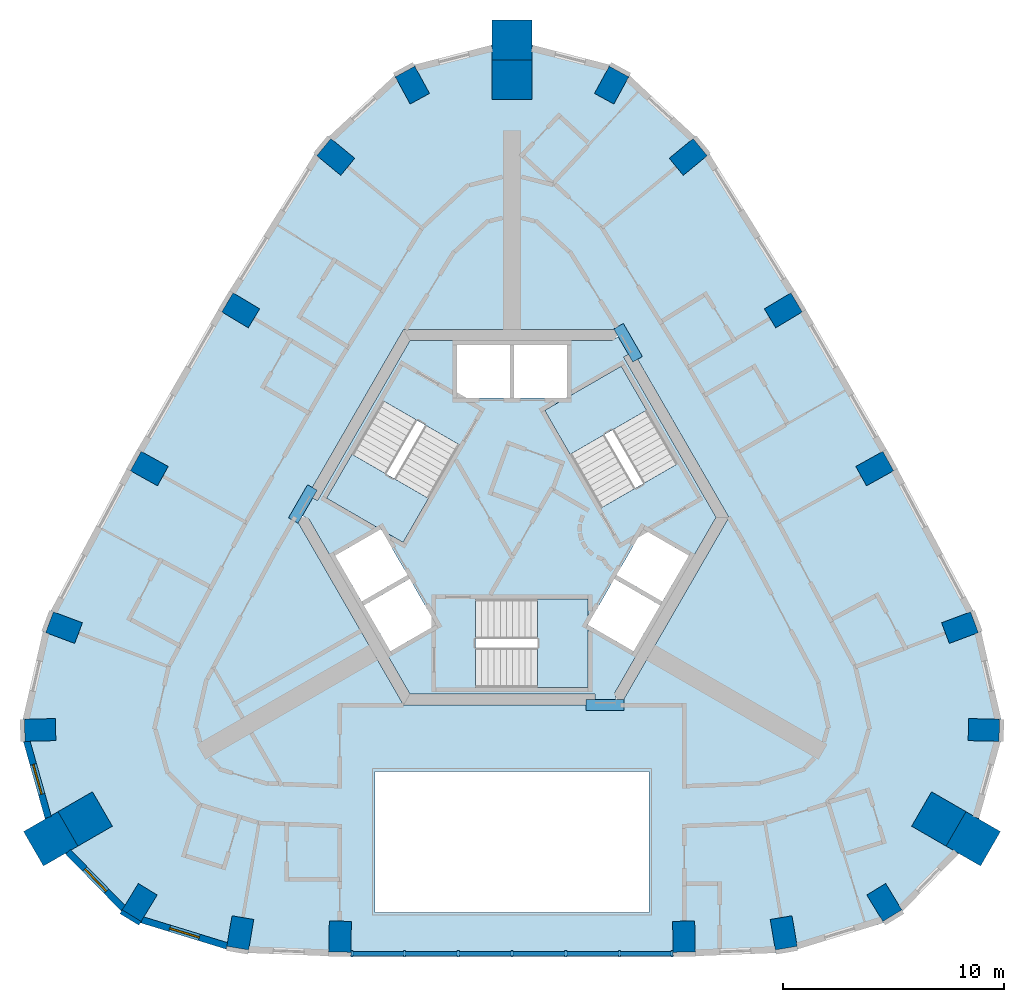
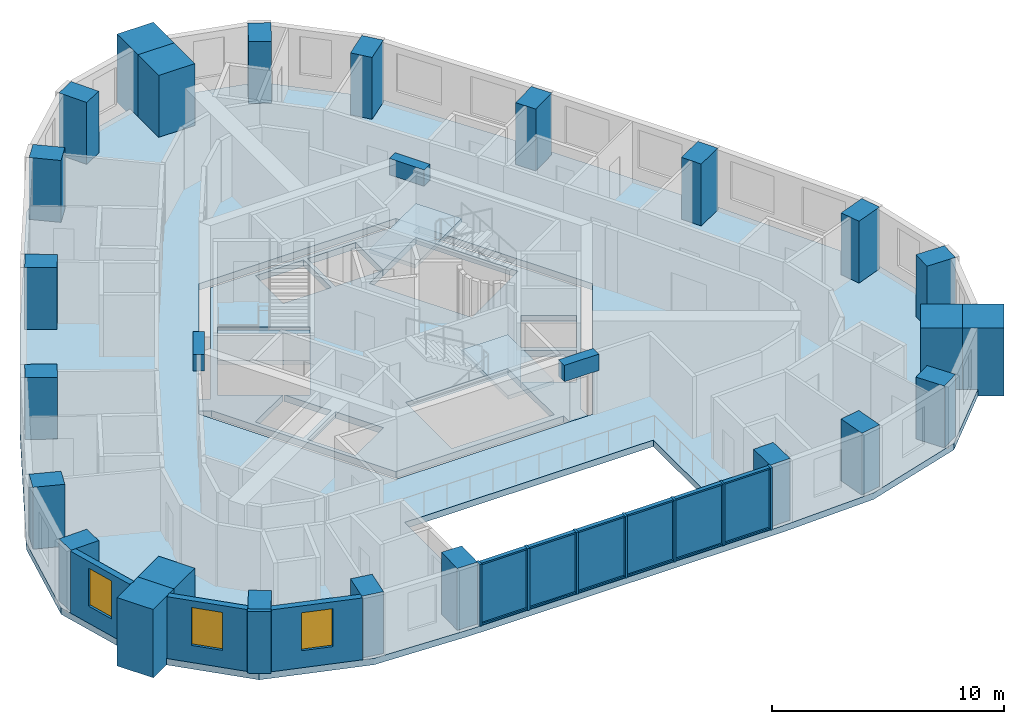
# One storey, part 1 of 9: 24 columns, 19 members, 6 plates, 5 slabs, 4 walls, 3 beams, 3 windows, 3 openings, 4 elements without a shape of their own.
"""IFC4 building model written with IfcOpenShell, lengths in metres."""

from ifc_helpers import new_model, si_unit, direction, frame, frame_2d, origin, origin_2d, place, context, subcontext, project, spatial, polyline, rectangle, outline, extrude, material, layer, layer_set, material_profile, profile_set, type_object, element, fill, aggregate, save


model = new_model("IFC4")

# Units and contexts
model_context = context("Model", 3, precision=1e-05, world=origin(), true_north=direction((0.0, 1.0)))
body_context = subcontext(model_context, "Body", "Model", "MODEL_VIEW")
ifc_project = project(units=[si_unit("LENGTHUNIT", "METRE"), si_unit("AREAUNIT", "SQUARE_METRE"), si_unit("VOLUMEUNIT", "CUBIC_METRE"), si_unit("PLANEANGLEUNIT", "RADIAN"), si_unit("MASSUNIT", "GRAM", prefix="KILO")], contexts=[model_context])

# Site, building, storey
site_placement = place(None, origin())
site = spatial("IfcSite", under=ifc_project, at=site_placement, CompositionType="ELEMENT")
building_placement = place(site_placement, origin())
building = spatial("IfcBuilding", under=site, at=building_placement, Name="Entoto Arch Interchange Tower", CompositionType="ELEMENT")
storey_placement = place(building_placement, frame((0.0, 0.0, 290.0)))
storey = spatial("IfcBuildingStorey", under=building, at=storey_placement, Name="L67", CompositionType="ELEMENT", Elevation=290.0)

# Columns
ifc_material_1 = material(Name="Concrete C40/50", Category="concrete")
ifc_material_profile_1 = material_profile(ifc_material_1, rectangle(XDim=1.0, YDim=1.39990234375, at=origin_2d()))
ifc_profile_set_1 = profile_set([ifc_material_profile_1], Name="Concrete C40/50")
column_type_1 = type_object("IfcColumnType", Name="Column RC 1000x1400 C40/50", PredefinedType="COLUMN", material=ifc_profile_set_1)
for number, where, z_axis, x_axis, name in (
    (1, (-12.297119140625, -16.31103515625, -0.340087890625), (0.0, 0.0, 1.0), (-0.985785690827, 0.168007653877, 0.0), "Column S01 L67"),
    (2, (-7.781982421875, -16.48095703125, -0.340087890625), (0.0, 0.0, 1.0), (-0.999805523312, 0.019720942027, 0.0), "Column S02 L67"),
    (3, (7.781982421875, -16.48095703125, -0.340087890625), (0.0, 0.0, 1.0), (0.999805523312, 0.019720942027, 0.0), "Column S03 L67"),
    (4, (12.297119140625, -16.31103515625, -0.340087890625), (0.0, 0.0, 1.0), (0.985785690827, 0.168007653877, 0.0), "Column S04 L67"),
    (5, (16.85009765625, -14.93310546875, -0.340087890625), (0.0, 0.0, 1.0), (0.853650808213, 0.520845752251, 0.0), "Column SE1 L67"),
    (6, (21.35693359375, -7.1259765625, -0.340087890625), (0.0, 0.0, 1.0), (0.024257696956, 0.999705738774, 0.0), "Column SE3 L67"),
    (7, (20.27490234375, -2.4970703125, -0.340087890625), (0.0, 0.0, 1.0), (-0.3507141184, 0.93648257173, 0.0), "Column NE01 L67"),
    (8, (16.4150390625, 4.701904296875, -0.340087890625), (0.0, 0.0, 1.0), (-0.48592357098, 0.874001306158, 0.0), "Column NE02 L67"),
    (9, (12.279052734375, 11.864990234375, -0.340087890625), (0.0, 0.0, 1.0), (-0.513945548584, 0.857822809845, 0.0), "Column NE03 L67"),
    (10, (7.97509765625, 18.806884765625, -0.340087890625), (0.0, 0.0, 1.0), (-0.635647164629, 0.771979716119, 0.0), "Column NE04 L67"),
    (11, (4.507080078125, 22.05908203125, -0.340087890625), (0.0, 0.0, 1.0), (-0.877899414566, 0.478845087586, 0.0), "Column N1 L67"),
    (12, (-4.507080078125, 22.05908203125, -0.340087890625), (0.0, 0.0, 1.0), (0.877899414566, 0.478845087586, 0.0), "Column N3 L67"),
    (13, (-7.97509765625, 18.806884765625, -0.340087890625), (0.0, 0.0, 1.0), (0.635647164629, 0.771979716119, 0.0), "Column NW01 L67"),
    (14, (-12.279052734375, 11.864990234375, -0.340087890625), (0.0, 0.0, 1.0), (0.513945548584, 0.857822809845, 0.0), "Column NW02 L67"),
    (15, (-16.4150390625, 4.701904296875, -0.340087890625), (0.0, 0.0, 1.0), (0.48592357098, 0.874001306158, 0.0), "Column NW03 L67"),
    (16, (-20.27490234375, -2.4970703125, -0.340087890625), (0.0, 0.0, 1.0), (0.3507141184, 0.93648257173, 0.0), "Column NW04 L67"),
    (17, (-21.35693359375, -7.1259765625, -0.340087890625), (0.0, 0.0, 1.0), (-0.024257696956, 0.999705738774, 0.0), "Column SW1 L67"),
    (18, (-16.85009765625, -14.93310546875, -0.340087890625), (0.0, 0.0, 1.0), (-0.853650808213, 0.520845752251, 0.0), "Column SW3 L67"),
):
    element("IfcColumn", number, at=place(storey_placement, frame(where, z_axis=z_axis, x_axis=x_axis)), inside=storey, type_object=column_type_1, Name=name, PredefinedType="COLUMN", context=body_context, shape_type="SweptSolid", body=[
        extrude(rectangle(XDim=1.0, YDim=1.39990234375, at=origin_2d()), origin(), (0.0, 0.0, 1.0), 3.60009765625),
    ])
ifc_material_2 = material(Name="Precast concrete C40/50", Category="concrete")
ifc_material_profile_2 = material_profile(ifc_material_2, rectangle(XDim=1.800048828125, YDim=1.800048828125, at=origin_2d()))
ifc_profile_set_2 = profile_set([ifc_material_profile_2], Name="Precast concrete C40/50")
column_type_2 = type_object("IfcColumnType", Name="Frame post RC 1800x1800 precast C40/50", PredefinedType="COLUMN", material=ifc_profile_set_2)
for number, where, z_axis, x_axis, name in (
    (19, (20.8779296875, -12.053955078125, -0.340087890625), (0.0, 0.0, 1.0), (-0.866025403784, 0.5, 0.0), "Frame post SE L67"),
    (20, (0.0, 24.10791015625, -0.340087890625), (0.0, 0.0, 1.0), (0.0, 1.0, 0.0), "Frame post N L67"),
    (21, (-20.8779296875, -12.053955078125, -0.340087890625), (0.0, 0.0, 1.0), (0.866025403784, 0.5, 0.0), "Frame post SW L67"),
):
    element("IfcColumn", number, at=place(storey_placement, frame(where, z_axis=z_axis, x_axis=x_axis)), inside=storey, type_object=column_type_2, Name=name, PredefinedType="COLUMN", context=body_context, shape_type="SweptSolid", body=[
        extrude(rectangle(XDim=1.800048828125, YDim=1.800048828125, at=origin_2d()), origin(), (0.0, 0.0, 1.0), 3.60009765625),
    ])
ifc_material_profile_3 = material_profile(ifc_material_1, rectangle(XDim=1.800048828125, YDim=1.800048828125, at=origin_2d()))
ifc_profile_set_3 = profile_set([ifc_material_profile_3], Name="Concrete C40/50")
column_type_3 = type_object("IfcColumnType", Name="Mega column RC 1800x1800 C40/50", PredefinedType="COLUMN", material=ifc_profile_set_3)
for number, where, z_axis, x_axis, name in (
    (22, (19.319091796875, -11.154052734375, -0.340087890625), (0.0, 0.0, 1.0), (-0.866025403784, 0.5, 0.0), "Corner mega column SE2 L67"),
    (23, (0.0, 22.30810546875, -0.340087890625), (0.0, 0.0, 1.0), (0.0, 1.0, 0.0), "Corner mega column N2 L67"),
    (24, (-19.319091796875, -11.154052734375, -0.340087890625), (0.0, 0.0, 1.0), (0.866025403784, 0.5, 0.0), "Corner mega column SW2 L67"),
):
    element("IfcColumn", number, at=place(storey_placement, frame(where, z_axis=z_axis, x_axis=x_axis)), inside=storey, type_object=column_type_3, Name=name, PredefinedType="COLUMN", context=body_context, shape_type="SweptSolid", body=[
        extrude(rectangle(XDim=1.800048828125, YDim=1.800048828125, at=origin_2d()), origin(), (0.0, 0.0, 1.0), 3.60009765625),
    ])

# Beams
ifc_material_profile_4 = material_profile(ifc_material_1, rectangle(XDim=0.5, YDim=0.860107421875, at=origin_2d()))
ifc_profile_set_4 = profile_set([ifc_material_profile_4], Name="Concrete C40/50")
beam_type = type_object("IfcBeamType", Name="Coupling beam RC 500x860 C40/50", PredefinedType="BEAM", material=ifc_profile_set_4)
for number, where, z_axis, x_axis, name in (
    (25, (5.68603515625, 9.65087890625, 2.830078125), (-0.500105721196, 0.865964357019, 0.0), (-0.865964357019, -0.500105721196, 0.0), "Coupling beam NE L67"),
    (26, (-9.035888671875, 3.84912109375, 2.830078125), (-0.500105721196, -0.865964357019, 0.0), (0.865964357019, -0.500105721196, 0.0), "Coupling beam NW L67"),
):
    element("IfcBeam", number, at=place(storey_placement, frame(where, z_axis=z_axis, x_axis=x_axis)), inside=storey, type_object=beam_type, Name=name, PredefinedType="BEAM", context=body_context, shape_type="SweptSolid", body=[
        extrude(rectangle(XDim=0.5, YDim=0.860107421875, at=origin_2d()), origin(), (0.0, 0.0, 1.0), 1.727783203125),
    ])
beam_placement = place(storey_placement, frame((3.35009765625, -6.0, 2.830078125), z_axis=(1.0, 0.0, 0.0), x_axis=(0.0, 1.0, 0.0)))
element("IfcBeam", 27, at=beam_placement, inside=storey, type_object=beam_type, Name="Coupling beam S L67", PredefinedType="BEAM", context=body_context, shape_type="SweptSolid", body=[
    extrude(rectangle(XDim=0.5, YDim=0.860107421875, at=origin_2d()), origin(), (0.0, 0.0, 1.0), 1.725830078125),
])

# Curtain wall, members
ifc_material_3 = material(Name="Aluminium, anodised", Category="aluminium")
curtain_wall_type = type_object("IfcCurtainWallType", Name="CURTAIN WALL ATRIUM", PredefinedType="NOTDEFINED", material=ifc_material_3)
curtain_wall_placement = place(storey_placement, origin())
curtain_wall = element("IfcCurtainWall", 28, at=curtain_wall_placement, inside=storey, type_object=curtain_wall_type, Name="Atrium glazing S-02 L67", PredefinedType="NOTDEFINED")
ifc_material_profile_5 = material_profile(ifc_material_3, rectangle(XDim=0.300048828125, YDim=0.10009765625, at=origin_2d()))
ifc_profile_set_5 = profile_set([ifc_material_profile_5], Name="Aluminium, anodised")
member_type_1 = type_object("IfcMemberType", Name="MULLION ATRIUM 100x300", PredefinedType="MULLION", material=ifc_profile_set_5)
member_1_placement = place(storey_placement, frame((-7.248046875, -17.256103515625, 0.0), z_axis=(0.0, 0.0, 1.0), x_axis=(0.0, 1.0, 0.0)))
member_1 = element("IfcMember", 29, at=member_1_placement, type_object=member_type_1, Name="CWA mullion 1", PredefinedType="MULLION", context=body_context, shape_type="SweptSolid", body=[
    extrude(rectangle(XDim=0.300048828125, YDim=0.10009765625, at=origin_2d()), origin(), (0.0, 0.0, 1.0), 3.260009765625),
])
member_2_placement = place(storey_placement, frame((-4.865234375, -17.256103515625, 0.0), z_axis=(0.0, 0.0, 1.0), x_axis=(0.0, 1.0, 0.0)))
member_2 = element("IfcMember", 30, at=member_2_placement, type_object=member_type_1, Name="CWA mullion 2", PredefinedType="MULLION", context=body_context, shape_type="SweptSolid", body=[
    extrude(rectangle(XDim=0.300048828125, YDim=0.10009765625, at=origin_2d()), origin(), (0.0, 0.0, 1.0), 3.260009765625),
])
member_3_placement = place(storey_placement, frame((-2.4326171875, -17.256103515625, 0.0), z_axis=(0.0, 0.0, 1.0), x_axis=(0.0, 1.0, 0.0)))
member_3 = element("IfcMember", 31, at=member_3_placement, type_object=member_type_1, Name="CWA mullion 3", PredefinedType="MULLION", context=body_context, shape_type="SweptSolid", body=[
    extrude(rectangle(XDim=0.300048828125, YDim=0.10009765625, at=origin_2d()), origin(), (0.0, 0.0, 1.0), 3.260009765625),
])
member_4_placement = place(storey_placement, frame((0.0, -17.256103515625, 0.0), z_axis=(0.0, 0.0, 1.0), x_axis=(0.0, 1.0, 0.0)))
member_4 = element("IfcMember", 32, at=member_4_placement, type_object=member_type_1, Name="CWA mullion 4", PredefinedType="MULLION", context=body_context, shape_type="SweptSolid", body=[
    extrude(rectangle(XDim=0.300048828125, YDim=0.10009765625, at=origin_2d()), origin(), (0.0, 0.0, 1.0), 3.260009765625),
])
member_5_placement = place(storey_placement, frame((2.4326171875, -17.256103515625, 0.0), z_axis=(0.0, 0.0, 1.0), x_axis=(0.0, 1.0, 0.0)))
member_5 = element("IfcMember", 33, at=member_5_placement, type_object=member_type_1, Name="CWA mullion 5", PredefinedType="MULLION", context=body_context, shape_type="SweptSolid", body=[
    extrude(rectangle(XDim=0.300048828125, YDim=0.10009765625, at=origin_2d()), origin(), (0.0, 0.0, 1.0), 3.260009765625),
])
member_6_placement = place(storey_placement, frame((4.865234375, -17.256103515625, 0.0), z_axis=(0.0, 0.0, 1.0), x_axis=(0.0, 1.0, 0.0)))
member_6 = element("IfcMember", 34, at=member_6_placement, type_object=member_type_1, Name="CWA mullion 6", PredefinedType="MULLION", context=body_context, shape_type="SweptSolid", body=[
    extrude(rectangle(XDim=0.300048828125, YDim=0.10009765625, at=origin_2d()), origin(), (0.0, 0.0, 1.0), 3.260009765625),
])
member_7_placement = place(storey_placement, frame((7.248046875, -17.256103515625, 0.0), z_axis=(0.0, 0.0, 1.0), x_axis=(0.0, 1.0, 0.0)))
member_7 = element("IfcMember", 35, at=member_7_placement, type_object=member_type_1, Name="CWA mullion 7", PredefinedType="MULLION", context=body_context, shape_type="SweptSolid", body=[
    extrude(rectangle(XDim=0.300048828125, YDim=0.10009765625, at=origin_2d()), origin(), (0.0, 0.0, 1.0), 3.260009765625),
])
ifc_material_profile_6 = material_profile(ifc_material_3, rectangle(XDim=0.199951171875, YDim=0.080078125, at=origin_2d()))
ifc_profile_set_6 = profile_set([ifc_material_profile_6], Name="Aluminium, anodised")
member_type_2 = type_object("IfcMemberType", Name="TRANSOM ATRIUM 80x200", PredefinedType="USERDEFINED", material=ifc_profile_set_6)
member_8_placement = place(storey_placement, frame((-7.197998046875, -17.256103515625, 0.0400390625), z_axis=(1.0, 0.0, 0.0), x_axis=(0.0, 1.0, 0.0)))
member_8 = element("IfcMember", 36, at=member_8_placement, type_object=member_type_2, Name="CWA transom 1.1", ObjectType="TRANSOM", PredefinedType="USERDEFINED", context=body_context, shape_type="SweptSolid", body=[
    extrude(rectangle(XDim=0.199951171875, YDim=0.080078125, at=origin_2d()), origin(), (0.0, 0.0, 1.0), 2.28271484375),
])
member_9_placement = place(storey_placement, frame((-7.197998046875, -17.256103515625, 3.219970703125), z_axis=(1.0, 0.0, 0.0), x_axis=(0.0, 1.0, 0.0)))
member_9 = element("IfcMember", 37, at=member_9_placement, type_object=member_type_2, Name="CWA transom 1.2", ObjectType="TRANSOM", PredefinedType="USERDEFINED", context=body_context, shape_type="SweptSolid", body=[
    extrude(rectangle(XDim=0.199951171875, YDim=0.080078125, at=origin_2d()), origin(), (0.0, 0.0, 1.0), 2.28271484375),
])
member_10_placement = place(storey_placement, frame((-4.8154296875, -17.256103515625, 0.0400390625), z_axis=(1.0, 0.0, 0.0), x_axis=(0.0, 1.0, 0.0)))
member_10 = element("IfcMember", 38, at=member_10_placement, type_object=member_type_2, Name="CWA transom 2.1", ObjectType="TRANSOM", PredefinedType="USERDEFINED", context=body_context, shape_type="SweptSolid", body=[
    extrude(rectangle(XDim=0.199951171875, YDim=0.080078125, at=origin_2d()), origin(), (0.0, 0.0, 1.0), 2.332763671875),
])
member_11_placement = place(storey_placement, frame((-4.8154296875, -17.256103515625, 3.219970703125), z_axis=(1.0, 0.0, 0.0), x_axis=(0.0, 1.0, 0.0)))
member_11 = element("IfcMember", 39, at=member_11_placement, type_object=member_type_2, Name="CWA transom 2.2", ObjectType="TRANSOM", PredefinedType="USERDEFINED", context=body_context, shape_type="SweptSolid", body=[
    extrude(rectangle(XDim=0.199951171875, YDim=0.080078125, at=origin_2d()), origin(), (0.0, 0.0, 1.0), 2.332763671875),
])
member_12_placement = place(storey_placement, frame((-2.382568359375, -17.256103515625, 0.0400390625), z_axis=(1.0, 0.0, 0.0), x_axis=(0.0, 1.0, 0.0)))
member_12 = element("IfcMember", 40, at=member_12_placement, type_object=member_type_2, Name="CWA transom 3.1", ObjectType="TRANSOM", PredefinedType="USERDEFINED", context=body_context, shape_type="SweptSolid", body=[
    extrude(rectangle(XDim=0.199951171875, YDim=0.080078125, at=origin_2d()), origin(), (0.0, 0.0, 1.0), 2.33251953125),
])
member_13_placement = place(storey_placement, frame((-2.382568359375, -17.256103515625, 3.219970703125), z_axis=(1.0, 0.0, 0.0), x_axis=(0.0, 1.0, 0.0)))
member_13 = element("IfcMember", 41, at=member_13_placement, type_object=member_type_2, Name="CWA transom 3.2", ObjectType="TRANSOM", PredefinedType="USERDEFINED", context=body_context, shape_type="SweptSolid", body=[
    extrude(rectangle(XDim=0.199951171875, YDim=0.080078125, at=origin_2d()), origin(), (0.0, 0.0, 1.0), 2.33251953125),
])
member_14_placement = place(storey_placement, frame((0.050048828125, -17.256103515625, 0.0400390625), z_axis=(1.0, 0.0, 0.0), x_axis=(0.0, 1.0, 0.0)))
member_14 = element("IfcMember", 42, at=member_14_placement, type_object=member_type_2, Name="CWA transom 4.1", ObjectType="TRANSOM", PredefinedType="USERDEFINED", context=body_context, shape_type="SweptSolid", body=[
    extrude(rectangle(XDim=0.199951171875, YDim=0.080078125, at=origin_2d()), origin(), (0.0, 0.0, 1.0), 2.33251953125),
])
member_15_placement = place(storey_placement, frame((0.050048828125, -17.256103515625, 3.219970703125), z_axis=(1.0, 0.0, 0.0), x_axis=(0.0, 1.0, 0.0)))
member_15 = element("IfcMember", 43, at=member_15_placement, type_object=member_type_2, Name="CWA transom 4.2", ObjectType="TRANSOM", PredefinedType="USERDEFINED", context=body_context, shape_type="SweptSolid", body=[
    extrude(rectangle(XDim=0.199951171875, YDim=0.080078125, at=origin_2d()), origin(), (0.0, 0.0, 1.0), 2.33251953125),
])
member_16_placement = place(storey_placement, frame((2.482666015625, -17.256103515625, 0.0400390625), z_axis=(1.0, 0.0, 0.0), x_axis=(0.0, 1.0, 0.0)))
member_16 = element("IfcMember", 44, at=member_16_placement, type_object=member_type_2, Name="CWA transom 5.1", ObjectType="TRANSOM", PredefinedType="USERDEFINED", context=body_context, shape_type="SweptSolid", body=[
    extrude(rectangle(XDim=0.199951171875, YDim=0.080078125, at=origin_2d()), origin(), (0.0, 0.0, 1.0), 2.332763671875),
])
member_17_placement = place(storey_placement, frame((2.482666015625, -17.256103515625, 3.219970703125), z_axis=(1.0, 0.0, 0.0), x_axis=(0.0, 1.0, 0.0)))
member_17 = element("IfcMember", 45, at=member_17_placement, type_object=member_type_2, Name="CWA transom 5.2", ObjectType="TRANSOM", PredefinedType="USERDEFINED", context=body_context, shape_type="SweptSolid", body=[
    extrude(rectangle(XDim=0.199951171875, YDim=0.080078125, at=origin_2d()), origin(), (0.0, 0.0, 1.0), 2.332763671875),
])
member_18_placement = place(storey_placement, frame((4.915283203125, -17.256103515625, 0.0400390625), z_axis=(1.0, 0.0, 0.0), x_axis=(0.0, 1.0, 0.0)))
member_18 = element("IfcMember", 46, at=member_18_placement, type_object=member_type_2, Name="CWA transom 6.1", ObjectType="TRANSOM", PredefinedType="USERDEFINED", context=body_context, shape_type="SweptSolid", body=[
    extrude(rectangle(XDim=0.199951171875, YDim=0.080078125, at=origin_2d()), origin(), (0.0, 0.0, 1.0), 2.28271484375),
])
member_19_placement = place(storey_placement, frame((4.915283203125, -17.256103515625, 3.219970703125), z_axis=(1.0, 0.0, 0.0), x_axis=(0.0, 1.0, 0.0)))
member_19 = element("IfcMember", 47, at=member_19_placement, type_object=member_type_2, Name="CWA transom 6.2", ObjectType="TRANSOM", PredefinedType="USERDEFINED", context=body_context, shape_type="SweptSolid", body=[
    extrude(rectangle(XDim=0.199951171875, YDim=0.080078125, at=origin_2d()), origin(), (0.0, 0.0, 1.0), 2.28271484375),
])

# Slab
ifc_layer_1 = layer(ifc_material_1, 0.340087890625)
ifc_layer_set_1 = layer_set([ifc_layer_1], Name="Concrete C40/50")
slab_type_1 = type_object("IfcSlabType", Name="Core floor slab 340 C40/50", PredefinedType="FLOOR", material=ifc_layer_set_1)
slab_1_placement = place(storey_placement, frame((0.0, 0.0, -0.340087890625)))
element("IfcSlab", 48, at=slab_1_placement, inside=storey, type_object=slab_type_1, Name="Core floor slab L67", PredefinedType="FLOOR", context=body_context, shape_type="SweptSolid", body=[
    extrude(outline(polyline([(-9.208984375, 2.449951171875), (-9.222900390625, 2.425048828125), (-9.699951171875, 2.699951171875), (-9.236083984375, 3.501953125), (-8.802978515625, 3.2529296875), (-4.618896484375, 10.5), (4.56103515625, 10.5), (4.5458984375, 10.52490234375), (5.02197265625, 10.800048828125), (5.486083984375, 9.998046875), (5.052978515625, 9.748046875), (9.238037109375, 2.5), (4.64794921875, -5.449951171875), (4.676025390625, -5.449951171875), (4.676025390625, -6.0), (3.75, -6.0), (3.75, -5.5), (-4.618896484375, -5.5), (-9.208984375, 2.449951171875)]), holes=[polyline([(-1.64990234375, -5.199951171875), (3.449951171875, -5.199951171875), (3.449951171875, -2.3779296875), (5.5048828125, -3.56494140625), (6.705078125, -1.487060546875), (4.626953125, -0.287109375), (3.449951171875, -2.324951171875), (3.449951171875, -1.199951171875), (-1.64990234375, -1.199951171875), (-1.64990234375, -5.199951171875)]), polyline([(-4.626953125, -0.287109375), (-6.705078125, -1.487060546875), (-5.5048828125, -3.56494140625), (-3.427001953125, -2.364990234375), (-4.626953125, -0.287109375)]), polyline([(-5.904052734375, 1.925048828125), (-4.928955078125, 1.362060546875), (-2.37890625, 5.779052734375), (-5.843017578125, 7.779052734375), (-8.39306640625, 3.362060546875), (-5.949951171875, 1.951904296875), (-8.0048828125, 0.764892578125), (-6.804931640625, -1.31298828125), (-4.72705078125, -0.113037109375), (-5.904052734375, 1.925048828125)]), polyline([(4.72705078125, -0.113037109375), (6.804931640625, -1.31298828125), (8.0048828125, 0.764892578125), (5.927001953125, 1.965087890625), (4.72705078125, -0.113037109375)]), polyline([(2.5, 7.927001953125), (2.5, 10.300048828125), (0.10009765625, 10.300048828125), (0.10009765625, 7.89990234375), (2.452880859375, 7.89990234375), (1.47900390625, 7.337890625), (4.029052734375, 2.9208984375), (7.492919921875, 4.9208984375), (4.943115234375, 9.337890625), (2.5, 7.927001953125)]), polyline([(-2.5, 7.89990234375), (-0.10009765625, 7.89990234375), (-0.10009765625, 10.300048828125), (-2.5, 10.300048828125), (-2.5, 7.89990234375)])]), origin(), (0.0, 0.0, 1.0), 0.340087890625),
])

# Stair, slab
stair_type = type_object("IfcStairType", Name="EXIT STAIR RC 1800", PredefinedType="HALF_TURN_STAIR", material=ifc_material_1)
stair_1_placement = place(storey_placement, origin())
stair_1 = element("IfcStair", 49, at=stair_1_placement, inside=storey, type_object=stair_type, Name="L67 Exit stair S", PredefinedType="HALF_TURN_STAIR")
ifc_layer_2 = layer(ifc_material_1, 0.199951171875)
ifc_layer_set_2 = layer_set([ifc_layer_2], Name="Concrete C40/50")
slab_type_2 = type_object("IfcSlabType", Name="EXIT STAIR LANDING RC 200", PredefinedType="LANDING", material=ifc_layer_set_2)
slab_2_placement = place(storey_placement, frame((0.0, 0.0, 1.60009765625)))
slab_2 = element("IfcSlab", 50, at=slab_2_placement, type_object=slab_type_2, Name="ST-S landing 1", PredefinedType="LANDING", context=body_context, shape_type="SweptSolid", body=[
    extrude(outline(polyline([(1.14990234375, -5.199951171875), (3.449951171875, -5.199951171875), (3.449951171875, -1.199951171875), (1.14990234375, -1.199951171875), (1.14990234375, -5.199951171875)])), origin(), (0.0, 0.0, 1.0), 0.199951171875),
])
aggregate(stair_1, [slab_2])

stair_2_placement = place(storey_placement, origin())
stair_2 = element("IfcStair", 51, at=stair_2_placement, inside=storey, type_object=stair_type, Name="L67 Exit stair NE", PredefinedType="HALF_TURN_STAIR")
slab_3_placement = place(storey_placement, frame((0.0, 0.0, 1.60009765625)))
slab_3 = element("IfcSlab", 52, at=slab_3_placement, type_object=slab_type_2, Name="ST-NE landing 1", PredefinedType="LANDING", context=body_context, shape_type="SweptSolid", body=[
    extrude(outline(polyline([(6.093505859375, 7.345947265625), (4.943359375, 9.337890625), (1.479248046875, 7.337890625), (2.62939453125, 5.345947265625), (6.093505859375, 7.345947265625)])), origin(), (0.0, 0.0, 1.0), 0.199951171875),
])
aggregate(stair_2, [slab_3])

stair_3_placement = place(storey_placement, origin())
stair_3 = element("IfcStair", 53, at=stair_3_placement, inside=storey, type_object=stair_type, Name="L67 Exit stair NW", PredefinedType="HALF_TURN_STAIR")
slab_4_placement = place(storey_placement, frame((0.0, 0.0, 1.60009765625)))
slab_4 = element("IfcSlab", 54, at=slab_4_placement, type_object=slab_type_2, Name="ST-NW landing 1", PredefinedType="LANDING", context=body_context, shape_type="SweptSolid", body=[
    extrude(outline(polyline([(-7.243408203125, 5.35400390625), (-8.393310546875, 3.3623046875), (-4.92919921875, 1.3623046875), (-3.779296875, 3.35400390625), (-7.243408203125, 5.35400390625)])), origin(), (0.0, 0.0, 1.0), 0.199951171875),
])
aggregate(stair_3, [slab_4])

# Plate
ifc_material_4 = material(Name="Clear glass, low-e double glazed", Category="glass")
ifc_layer_3 = layer(ifc_material_4, 0.031982421875)
ifc_layer_set_3 = layer_set([ifc_layer_3], Name="Clear glass, low-e double glazed")
plate_type = type_object("IfcPlateType", Name="GLAZING PANEL ATRIUM 32", PredefinedType="CURTAIN_PANEL", material=ifc_layer_set_3)
plate_1_placement = place(storey_placement, frame((-6.056640625, -17.256103515625, 0.079833984375), z_axis=(0.0, 0.0, 1.0), x_axis=(1.0, 0.0, 0.0)))
plate_1 = element("IfcPlate", 55, at=plate_1_placement, type_object=plate_type, Name="CWA panel 1.1", PredefinedType="CURTAIN_PANEL", context=body_context, shape_type="SweptSolid", body=[
    extrude(rectangle(XDim=2.28271484375, YDim=0.031982421875, at=origin_2d()), origin(), (0.0, 0.0, 1.0), 3.10009765625),
])

plate_2_placement = place(storey_placement, frame((-3.64892578125, -17.256103515625, 0.079833984375), z_axis=(0.0, 0.0, 1.0), x_axis=(1.0, 0.0, 0.0)))
plate_2 = element("IfcPlate", 56, at=plate_2_placement, type_object=plate_type, Name="CWA panel 2.1", PredefinedType="CURTAIN_PANEL", context=body_context, shape_type="SweptSolid", body=[
    extrude(rectangle(XDim=2.332763671875, YDim=0.031982421875, at=origin_2d()), origin(), (0.0, 0.0, 1.0), 3.10009765625),
])

plate_3_placement = place(storey_placement, frame((-1.21630859375, -17.256103515625, 0.079833984375), z_axis=(0.0, 0.0, 1.0), x_axis=(1.0, 0.0, 0.0)))
plate_3 = element("IfcPlate", 57, at=plate_3_placement, type_object=plate_type, Name="CWA panel 3.1", PredefinedType="CURTAIN_PANEL", context=body_context, shape_type="SweptSolid", body=[
    extrude(rectangle(XDim=2.332763671875, YDim=0.031982421875, at=origin_2d()), origin(), (0.0, 0.0, 1.0), 3.10009765625),
])

plate_4_placement = place(storey_placement, frame((1.21630859375, -17.256103515625, 0.079833984375), z_axis=(0.0, 0.0, 1.0), x_axis=(1.0, 0.0, 0.0)))
plate_4 = element("IfcPlate", 58, at=plate_4_placement, type_object=plate_type, Name="CWA panel 4.1", PredefinedType="CURTAIN_PANEL", context=body_context, shape_type="SweptSolid", body=[
    extrude(rectangle(XDim=2.332763671875, YDim=0.031982421875, at=origin_2d()), origin(), (0.0, 0.0, 1.0), 3.10009765625),
])

plate_5_placement = place(storey_placement, frame((3.64892578125, -17.256103515625, 0.079833984375), z_axis=(0.0, 0.0, 1.0), x_axis=(1.0, 0.0, 0.0)))
plate_5 = element("IfcPlate", 59, at=plate_5_placement, type_object=plate_type, Name="CWA panel 5.1", PredefinedType="CURTAIN_PANEL", context=body_context, shape_type="SweptSolid", body=[
    extrude(rectangle(XDim=2.332763671875, YDim=0.031982421875, at=origin_2d()), origin(), (0.0, 0.0, 1.0), 3.10009765625),
])

plate_6_placement = place(storey_placement, frame((6.056640625, -17.256103515625, 0.079833984375), z_axis=(0.0, 0.0, 1.0), x_axis=(1.0, 0.0, 0.0)))
plate_6 = element("IfcPlate", 60, at=plate_6_placement, type_object=plate_type, Name="CWA panel 6.1", PredefinedType="CURTAIN_PANEL", context=body_context, shape_type="SweptSolid", body=[
    extrude(rectangle(XDim=2.28271484375, YDim=0.031982421875, at=origin_2d()), origin(), (0.0, 0.0, 1.0), 3.10009765625),
])

aggregate(curtain_wall, [member_1, member_2, member_3, member_4, member_5, member_6, member_7, member_8, member_9, plate_1, member_10, member_11, plate_2, member_12, member_13, plate_3, member_14, member_15, plate_4, member_16, member_17, plate_5, member_18, member_19, plate_6])

# Slab
ifc_layer_4 = layer(ifc_material_1, 0.340087890625)
ifc_layer_set_4 = layer_set([ifc_layer_4], Name="Concrete C40/50")
slab_type_3 = type_object("IfcSlabType", Name="Post-tensioned flat plate 340 C40/50", PredefinedType="FLOOR", material=ifc_layer_set_4)
slab_5_placement = place(storey_placement, frame((0.0, 0.0, -0.340087890625)))
element("IfcSlab", 61, at=slab_5_placement, inside=storey, type_object=slab_type_3, Name="Floor slab L67", PredefinedType="FLOOR", context=body_context, shape_type="SweptSolid", body=[
    extrude(outline(polyline([(-12.447998046875, -17.197998046875), (-7.800048828125, -17.381103515625), (7.800048828125, -17.381103515625), (12.447998046875, -17.197998046875), (17.319091796875, -15.700927734375), (20.8779296875, -12.053955078125), (22.257080078125, -7.14794921875), (21.117919921875, -2.180908203125), (17.201904296875, 5.138916015625), (13.051025390625, 12.327880859375), (8.669921875, 19.37890625), (4.93798828125, 22.84912109375), (0.0, 24.10791015625), (-4.93798828125, 22.84912109375), (-8.669921875, 19.37890625), (-13.051025390625, 12.327880859375), (-17.201904296875, 5.138916015625), (-21.117919921875, -2.180908203125), (-22.257080078125, -7.14794921875), (-20.8779296875, -12.053955078125), (-17.319091796875, -15.700927734375), (-12.447998046875, -17.197998046875)]), holes=[polyline([(6.199951171875, -15.381103515625), (6.199951171875, -9.0), (-6.199951171875, -9.0), (-6.199951171875, -15.381103515625), (6.199951171875, -15.381103515625)]), polyline([(9.81494140625, 2.5), (4.906982421875, 11.0), (-4.906982421875, 11.0), (-9.81494140625, 2.5), (-4.906982421875, -6.0), (4.906982421875, -6.0), (9.81494140625, 2.5)])]), origin(), (0.0, 0.0, 1.0), 0.340087890625),
])

# Wall, opening, window
ifc_material_5 = material(Name="Welded tuff (ignimbrite) cladding, warm buff", Category="masonry")
ifc_layer_5 = layer(ifc_material_5, 0.300048828125)
ifc_layer_set_5 = layer_set([ifc_layer_5], Name="Welded tuff (ignimbrite) cladding, warm buff")
wall_type_1 = type_object("IfcWallType", Name="STONE INFILL WALL 300", PredefinedType="STANDARD", material=ifc_layer_set_5)
wall_1_placement = place(storey_placement, frame((-21.962890625, -7.639892578125, 0.0), z_axis=(0.0, 0.0, 1.0), x_axis=(0.270589405397, -0.962694849725, 0.0)))
wall_1 = element("IfcWall", 62, at=wall_1_placement, inside=storey, type_object=wall_type_1, Name="Facade wall SW-02 L67", PredefinedType="STANDARD", context=body_context, shape_type="SweptSolid", body=[
    extrude(rectangle(XDim=3.57666015625, YDim=0.300048828125, at=frame_2d((1.788330078125, 0.0))), origin(), (0.0, 0.0, 1.0), 3.260009765625),
])
opening_1_placement = place(wall_1_placement, frame((1.087890625, 0.0, 0.89990234375)))
opening_1 = element("IfcOpeningElement", 63, at=opening_1_placement, cuts=wall_1, Name="Opening WH-B", PredefinedType="OPENING", context=body_context, shape_type="SweptSolid", body=[
    extrude(rectangle(XDim=1.39990234375, YDim=2.0, at=frame_2d((0.699951171875, 1.0))), frame((0.0, 0.16015625, 0.0), z_axis=(0.0, -1.0, 0.0), x_axis=(1.0, 0.0, 0.0)), (0.0, 0.0, 1.0), 0.320068359375),
])
window_type = type_object("IfcWindowType", Name="WINDOW WH-B 1400x2000", PartitioningType="DOUBLE_PANEL_VERTICAL", PredefinedType="WINDOW", material=ifc_material_4)
window_1_placement = place(opening_1_placement, origin())
window_1 = element("IfcWindow", 64, at=window_1_placement, inside=storey, type_object=window_type, Name="Window WH-B SW-02 L67", OverallHeight=2.0, OverallWidth=1.39990234375, PartitioningType="SINGLE_PANEL", PredefinedType="WINDOW", context=body_context, shape_type="SweptSolid", body=[
    extrude(rectangle(XDim=1.39990234375, YDim=2.0, at=frame_2d((0.699951171875, 1.0))), frame((0.0, 0.030029296875, 0.0), z_axis=(0.0, -1.0, 0.0), x_axis=(1.0, 0.0, 0.0)), (0.0, 0.0, 1.0), 0.06005859375),
])
fill(opening_1, window_1)

wall_2_placement = place(storey_placement, frame((-20.095947265625, -12.64111328125, 0.0), z_axis=(0.0, 0.0, 1.0), x_axis=(0.698555868355, -0.715555517614, 0.0)))
wall_2 = element("IfcWall", 65, at=wall_2_placement, inside=storey, type_object=wall_type_1, Name="Facade wall SW-03 L67", PredefinedType="STANDARD", context=body_context, shape_type="SweptSolid", body=[
    extrude(rectangle(XDim=3.575927734375, YDim=0.300048828125, at=frame_2d((1.7880859375, 0.0))), origin(), (0.0, 0.0, 1.0), 3.260009765625),
])
opening_2_placement = place(wall_2_placement, frame((1.087890625, 0.0, 0.89990234375)))
opening_2 = element("IfcOpeningElement", 66, at=opening_2_placement, cuts=wall_2, Name="Opening WH-B", PredefinedType="OPENING", context=body_context, shape_type="SweptSolid", body=[
    extrude(rectangle(XDim=1.39990234375, YDim=2.0, at=frame_2d((0.699951171875, 1.0))), frame((0.0, 0.16015625, 0.0), z_axis=(0.0, -1.0, 0.0), x_axis=(1.0, 0.0, 0.0)), (0.0, 0.0, 1.0), 0.320068359375),
])
window_2_placement = place(opening_2_placement, origin())
window_2 = element("IfcWindow", 67, at=window_2_placement, inside=storey, type_object=window_type, Name="Window WH-B SW-03 L67", OverallHeight=2.0, OverallWidth=1.39990234375, PartitioningType="SINGLE_PANEL", PredefinedType="WINDOW", context=body_context, shape_type="SweptSolid", body=[
    extrude(rectangle(XDim=1.39990234375, YDim=2.0, at=frame_2d((0.699951171875, 1.0))), frame((0.0, 0.030029296875, 0.0), z_axis=(0.0, -1.0, 0.0), x_axis=(1.0, 0.0, 0.0)), (0.0, 0.0, 1.0), 0.06005859375),
])
fill(opening_2, window_2)

wall_3_placement = place(storey_placement, frame((-16.74609375, -15.719970703125, 0.0), z_axis=(0.0, 0.0, 1.0), x_axis=(0.955866957005, -0.293799864716, 0.0)))
wall_3 = element("IfcWall", 68, at=wall_3_placement, inside=storey, type_object=wall_type_1, Name="Facade wall SW-04 L67", PredefinedType="STANDARD", context=body_context, shape_type="SweptSolid", body=[
    extrude(rectangle(XDim=4.01953125, YDim=0.300048828125, at=frame_2d((2.009765625, 0.0))), origin(), (0.0, 0.0, 1.0), 3.260009765625),
])
opening_3_placement = place(wall_3_placement, frame((1.31005859375, 0.0, 0.89990234375)))
opening_3 = element("IfcOpeningElement", 69, at=opening_3_placement, cuts=wall_3, Name="Opening WH-B", PredefinedType="OPENING", context=body_context, shape_type="SweptSolid", body=[
    extrude(rectangle(XDim=1.39990234375, YDim=2.0, at=frame_2d((0.699951171875, 1.0))), frame((0.0, 0.16015625, 0.0), z_axis=(0.0, -1.0, 0.0), x_axis=(1.0, 0.0, 0.0)), (0.0, 0.0, 1.0), 0.320068359375),
])
window_3_placement = place(opening_3_placement, origin())
window_3 = element("IfcWindow", 70, at=window_3_placement, inside=storey, type_object=window_type, Name="Window WH-B SW-04 L67", OverallHeight=2.0, OverallWidth=1.39990234375, PartitioningType="SINGLE_PANEL", PredefinedType="WINDOW", context=body_context, shape_type="SweptSolid", body=[
    extrude(rectangle(XDim=1.39990234375, YDim=2.0, at=frame_2d((0.699951171875, 1.0))), frame((0.0, 0.030029296875, 0.0), z_axis=(0.0, -1.0, 0.0), x_axis=(1.0, 0.0, 0.0)), (0.0, 0.0, 1.0), 0.06005859375),
])
fill(opening_3, window_3)

# Wall
ifc_layer_6 = layer(ifc_material_5, 0.199951171875)
ifc_layer_set_6 = layer_set([ifc_layer_6], Name="Welded tuff (ignimbrite) cladding, warm buff")
wall_type_2 = type_object("IfcWallType", Name="STONE PIER CLADDING 200", PredefinedType="STANDARD", material=ifc_layer_set_6)
wall_4_placement = place(storey_placement, frame((-17.694091796875, -15.35498046875, 0.0), z_axis=(0.0, 0.0, 1.0), x_axis=(0.853679739553, -0.520798331677, 0.0)))
element("IfcWall", 71, at=wall_4_placement, inside=storey, type_object=wall_type_2, Name="Stone pier SW3 L67", PredefinedType="STANDARD", context=body_context, shape_type="SweptSolid", body=[
    extrude(rectangle(XDim=1.00048828125, YDim=0.199951171875, at=frame_2d((0.500244140625, 0.0))), origin(), (0.0, 0.0, 1.0), 3.260009765625),
])

save(model, "model.ifc")
